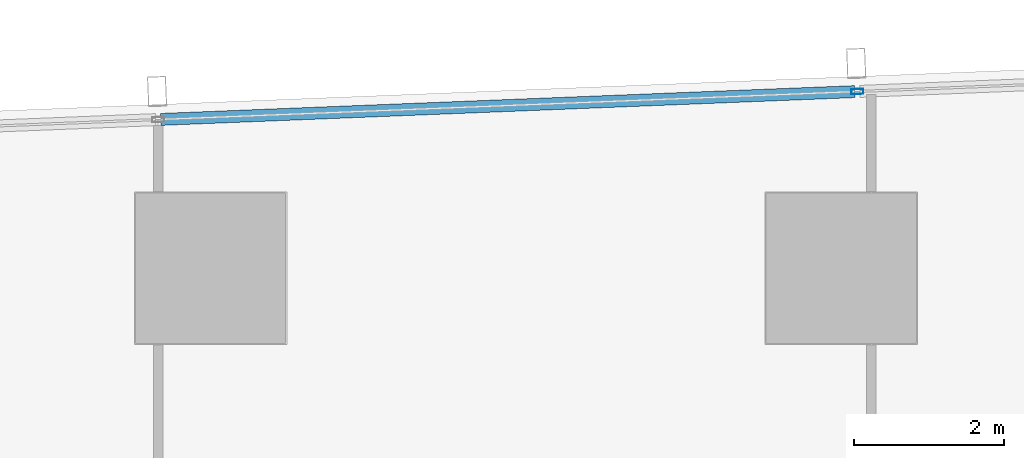
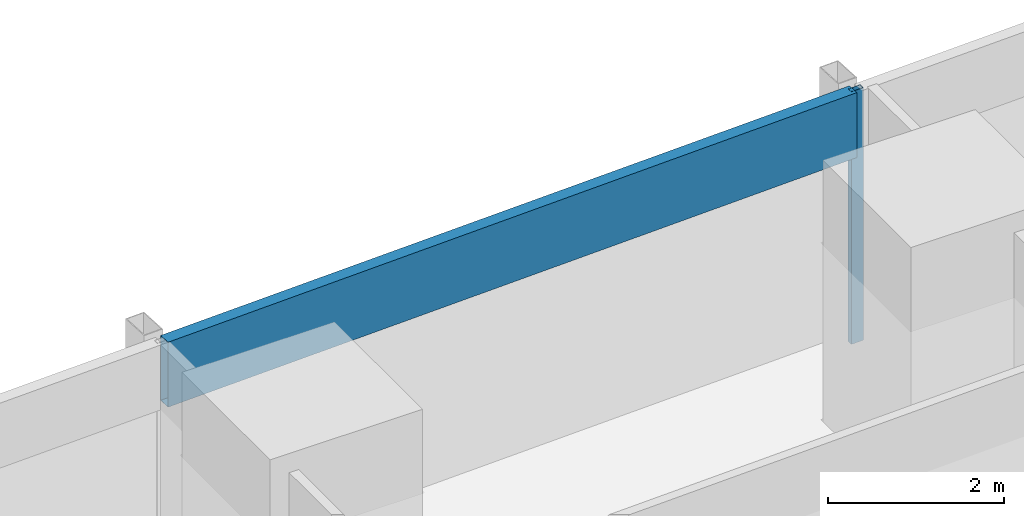
# One storey, part 14 of 36: 2 members, 1 element without a shape of its own.
"""IFC4 building model written with IfcOpenShell, lengths in metres."""

from ifc_helpers import new_model, si_unit, direction, frame, origin, origin_2d, place, context, subcontext, project, spatial, hollow_rectangle, extrude, material, material_profile, profile_set, type_object, element, aggregate, save


model = new_model("IFC4")

# Units and contexts
model_context = context("Model", 3, precision=1e-05, world=origin(), true_north=direction((0.0, 1.0)))
body_context = subcontext(model_context, "Body", "Model", "MODEL_VIEW")
ifc_project = project(units=[si_unit("LENGTHUNIT", "METRE"), si_unit("AREAUNIT", "SQUARE_METRE"), si_unit("VOLUMEUNIT", "CUBIC_METRE"), si_unit("PLANEANGLEUNIT", "RADIAN"), si_unit("MASSUNIT", "GRAM", prefix="KILO")], contexts=[model_context])

# Site, building, storey
site_placement = place(None, origin())
site = spatial("IfcSite", under=ifc_project, at=site_placement, CompositionType="ELEMENT")
building_placement = place(site_placement, origin())
building = spatial("IfcBuilding", under=site, at=building_placement, Name="Rekha Terrace Tower", CompositionType="ELEMENT")
storey_placement = place(building_placement, frame((0.0, 0.0, 144.050048828125)))
storey = spatial("IfcBuildingStorey", under=building, at=storey_placement, Name="L36", CompositionType="ELEMENT", Elevation=144.050048828125)

# Curtain wall, members
ifc_material_1 = material(Name="Aluminium framing", Category="aluminium")
curtain_wall_type = type_object("IfcCurtainWallType", Name="CW3 north unitised glazing", PredefinedType="USERDEFINED", material=ifc_material_1)
curtain_wall_placement = place(storey_placement, origin())
curtain_wall = element("IfcCurtainWall", 1, at=curtain_wall_placement, inside=storey, type_object=curtain_wall_type, Name="CW3 unitised curtain wall", ObjectType="UNITISED CURTAIN WALL", PredefinedType="USERDEFINED")
ifc_material_2 = material(Name="Aluminium mullion section", Category="aluminium")
ifc_material_profile_1 = material_profile(ifc_material_2, hollow_rectangle(XDim=0.070068359375, YDim=0.159912109375, WallThickness=0.00390625, at=origin_2d()), Name="AL RHS 70x160")
ifc_profile_set_1 = profile_set([ifc_material_profile_1], Name="Aluminium mullion section")
member_type_1 = type_object("IfcMemberType", Name="CW3 mullion RHS 70 x 160", PredefinedType="MULLION", material=ifc_profile_set_1)
member_1_placement = place(storey_placement, frame((25.413818359375, 61.153564453125, 0.0), z_axis=(0.0, 0.0, 1.0), x_axis=(0.040031987119, -0.999198398721, 0.0)))
member_1 = element("IfcMember", 2, at=member_1_placement, type_object=member_type_1, Name="CW3 mullion 3", PredefinedType="MULLION", context=body_context, shape_type="SweptSolid", body=[
    extrude(hollow_rectangle(XDim=0.070068359375, YDim=0.159912109375, WallThickness=0.00390625, at=origin_2d()), origin(), (0.0, 0.0, 1.0), 3.5),
])
ifc_material_3 = material(Name="Insulated aluminium spandrel box", Category="aluminium")
ifc_material_profile_2 = material_profile(ifc_material_3, hollow_rectangle(XDim=0.159912109375, YDim=0.89990234375, WallThickness=0.0029296875, at=origin_2d()), Name="AL SPANDREL BOX 160x900")
ifc_profile_set_2 = profile_set([ifc_material_profile_2], Name="Insulated aluminium spandrel box")
member_type_2 = type_object("IfcMemberType", Name="CW3 spandrel transom 160 x 900", PredefinedType="USERDEFINED", material=ifc_profile_set_2)
member_2_placement = place(storey_placement, frame((25.37890625, 61.152099609375, 3.050048828125), z_axis=(-0.999199102424, -0.040014418831, 0.0), x_axis=(0.040014418831, -0.999199102424, 0.0)))
member_2 = element("IfcMember", 3, at=member_2_placement, type_object=member_type_2, Name="CW3 spandrel transom 3", ObjectType="TRANSOM", PredefinedType="USERDEFINED", context=body_context, shape_type="SweptSolid", body=[
    extrude(hollow_rectangle(XDim=0.159912109375, YDim=0.89990234375, WallThickness=0.0029296875, at=origin_2d()), origin(), (0.0, 0.0, 1.0), 9.24951171875),
])
aggregate(curtain_wall, [member_1, member_2])

save(model, "model.ifc")
